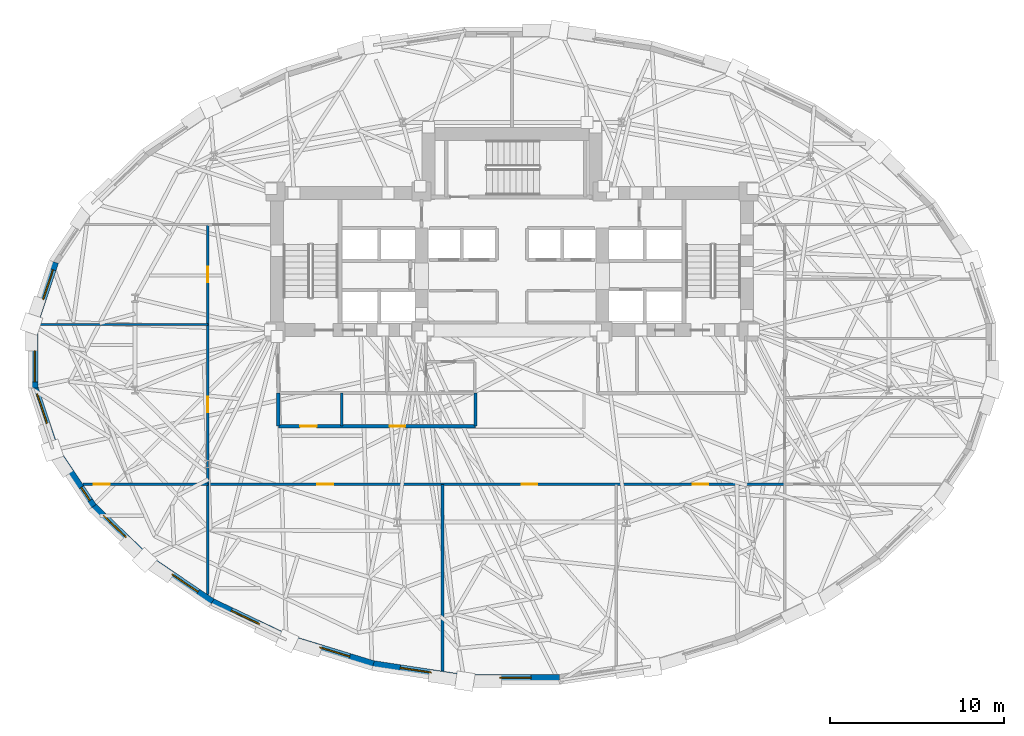
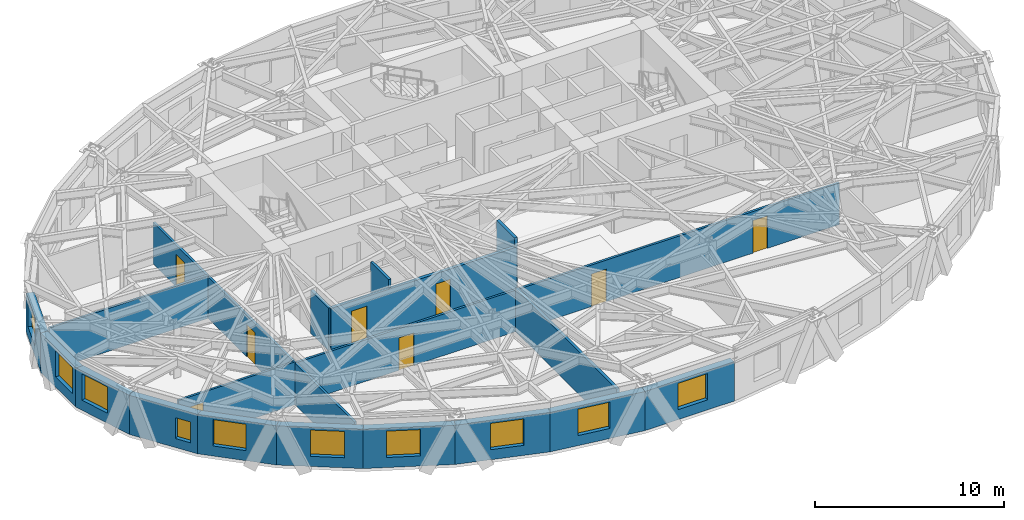
# One storey, part 6 of 14: 19 walls, 10 windows, 8 doors, 18 openings.
"""IFC4 building model written with IfcOpenShell, lengths in metres."""

from ifc_helpers import new_model, si_unit, direction, frame, frame_2d, origin, place, context, subcontext, project, spatial, rectangle, extrude, material, layer, layer_set, type_object, element, fill, save


model = new_model("IFC4")

# Units and contexts
model_context = context("Model", 3, precision=1e-05, world=origin(), true_north=direction((0.0, 1.0)))
body_context = subcontext(model_context, "Body", "Model", "MODEL_VIEW")
ifc_project = project(units=[si_unit("LENGTHUNIT", "METRE"), si_unit("AREAUNIT", "SQUARE_METRE"), si_unit("VOLUMEUNIT", "CUBIC_METRE"), si_unit("PLANEANGLEUNIT", "RADIAN"), si_unit("MASSUNIT", "GRAM", prefix="KILO")], contexts=[model_context])

# Site, building, storey
site_placement = place(None, origin())
site = spatial("IfcSite", under=ifc_project, at=site_placement, CompositionType="ELEMENT")
building_placement = place(site_placement, origin())
building = spatial("IfcBuilding", under=site, at=building_placement, Name="Keldmark Tower", CompositionType="ELEMENT")
storey_placement = place(building_placement, frame((0.0, 0.0, 100.10009765625)))
storey = spatial("IfcBuildingStorey", under=building, at=storey_placement, Name="L26", CompositionType="ELEMENT", Elevation=100.10009765625)

# Wall, openings, doors
ifc_material_1 = material(Name="Acoustic Double-Layer Gypsum Corridor Partition", Category="gypsum")
ifc_layer_1 = layer(ifc_material_1, 0.139892578125)
ifc_layer_set_1 = layer_set([ifc_layer_1], Name="Acoustic Double-Layer Gypsum Corridor Partition")
wall_type_1 = type_object("IfcWallType", Name="Acoustic Corridor Partition 140 mm", PredefinedType="PARTITIONING", material=ifc_layer_set_1)
wall_1_placement = place(storey_placement, frame((-17.5, -7.39990234375, 0.0), z_axis=(0.0, 0.0, 1.0), x_axis=(1.0, 0.0, 0.0)))
wall_1 = element("IfcWall", 1, at=wall_1_placement, inside=storey, type_object=wall_type_1, Name="L26 Acoustic Corridor Partition 140 mm COR-S", PredefinedType="PARTITIONING", context=body_context, shape_type="SweptSolid", body=[
    extrude(rectangle(XDim=33.199951171875, YDim=0.139892578125, at=frame_2d((16.60009765625, 0.0))), origin(), (0.0, 0.0, 1.0), 2.68798828125),
])
opening_1_placement = place(wall_1_placement, frame((6.300048828125, 0.0, 0.0)))
opening_1 = element("IfcOpeningElement", 2, at=opening_1_placement, cuts=wall_1, Name="Opening D-IN090", PredefinedType="OPENING", context=body_context, shape_type="SweptSolid", body=[
    extrude(rectangle(XDim=0.89990234375, YDim=2.10009765625, at=frame_2d((0.449951171875, 1.050048828125))), frame((0.0, 0.079833984375, 0.0), z_axis=(0.0, -1.0, 0.0), x_axis=(1.0, 0.0, 0.0)), (0.0, 0.0, 1.0), 0.159912109375),
])
opening_2_placement = place(wall_1_placement, frame((18.050048828125, 0.0, 0.0)))
opening_2 = element("IfcOpeningElement", 3, at=opening_2_placement, cuts=wall_1, Name="Opening D-IN090", PredefinedType="OPENING", context=body_context, shape_type="SweptSolid", body=[
    extrude(rectangle(XDim=0.89990234375, YDim=2.10009765625, at=frame_2d((0.449951171875, 1.050048828125))), frame((0.0, 0.079833984375, 0.0), z_axis=(0.0, -1.0, 0.0), x_axis=(1.0, 0.0, 0.0)), (0.0, 0.0, 1.0), 0.159912109375),
])
opening_3_placement = place(wall_1_placement, frame((27.89990234375, 0.0, 0.0)))
opening_3 = element("IfcOpeningElement", 4, at=opening_3_placement, cuts=wall_1, Name="Opening D-IN090", PredefinedType="OPENING", context=body_context, shape_type="SweptSolid", body=[
    extrude(rectangle(XDim=0.89990234375, YDim=2.10009765625, at=frame_2d((0.449951171875, 1.050048828125))), frame((0.0, 0.079833984375, 0.0), z_axis=(0.0, -1.0, 0.0), x_axis=(1.0, 0.0, 0.0)), (0.0, 0.0, 1.0), 0.159912109375),
])
ifc_material_2 = material(Name="Stained American White Oak Veneer", Category="wood")
door_type_1 = type_object("IfcDoorType", Name="Interior Door 900x2100", OperationType="NOTDEFINED", PredefinedType="DOOR", material=ifc_material_2)
door_1_placement = place(opening_1_placement, origin())
door_1 = element("IfcDoor", 5, at=door_1_placement, inside=storey, type_object=door_type_1, Name="L26 Interior Door 900x2100 D-SR-1-L26", OperationType="SINGLE_SWING_LEFT", OverallHeight=2.10009765625, OverallWidth=0.89990234375, PredefinedType="DOOR", context=body_context, shape_type="SweptSolid", body=[
    extrude(rectangle(XDim=0.89990234375, YDim=2.10009765625, at=frame_2d((0.449951171875, 1.050048828125))), frame((0.0, 0.02490234375, 0.0), z_axis=(0.0, -1.0, 0.0), x_axis=(1.0, 0.0, 0.0)), (0.0, 0.0, 1.0), 0.050048828125),
])
fill(opening_1, door_1)
door_2_placement = place(opening_2_placement, origin())
door_2 = element("IfcDoor", 6, at=door_2_placement, inside=storey, type_object=door_type_1, Name="L26 Interior Door 900x2100 D-SR-2-L26", OperationType="SINGLE_SWING_RIGHT", OverallHeight=2.10009765625, OverallWidth=0.89990234375, PredefinedType="DOOR", context=body_context, shape_type="SweptSolid", body=[
    extrude(rectangle(XDim=0.89990234375, YDim=2.10009765625, at=frame_2d((0.449951171875, 1.050048828125))), frame((0.0, 0.02490234375, 0.0), z_axis=(0.0, -1.0, 0.0), x_axis=(1.0, 0.0, 0.0)), (0.0, 0.0, 1.0), 0.050048828125),
])
fill(opening_2, door_2)
door_3_placement = place(opening_3_placement, origin())
door_3 = element("IfcDoor", 7, at=door_3_placement, inside=storey, type_object=door_type_1, Name="L26 Interior Door 900x2100 D-SR-3-L26", OperationType="SINGLE_SWING_LEFT", OverallHeight=2.10009765625, OverallWidth=0.89990234375, PredefinedType="DOOR", context=body_context, shape_type="SweptSolid", body=[
    extrude(rectangle(XDim=0.89990234375, YDim=2.10009765625, at=frame_2d((0.449951171875, 1.050048828125))), frame((0.0, 0.02490234375, 0.0), z_axis=(0.0, -1.0, 0.0), x_axis=(1.0, 0.0, 0.0)), (0.0, 0.0, 1.0), 0.050048828125),
])
fill(opening_3, door_3)

wall_2_placement = place(storey_placement, frame((-17.5, -13.748291015625, 0.0), z_axis=(0.0, 0.0, 1.0), x_axis=(0.0, 1.0, 0.0)))
wall_2 = element("IfcWall", 8, at=wall_2_placement, inside=storey, type_object=wall_type_1, Name="L26 Acoustic Corridor Partition 140 mm COR-W", PredefinedType="PARTITIONING", context=body_context, shape_type="SweptSolid", body=[
    extrude(rectangle(XDim=21.29833984375, YDim=0.139892578125, at=frame_2d((10.649169921875, 0.0))), origin(), (0.0, 0.0, 1.0), 2.68798828125),
])
opening_4_placement = place(wall_2_placement, frame((10.49853515625, 0.0, 0.0)))
opening_4 = element("IfcOpeningElement", 9, at=opening_4_placement, cuts=wall_2, Name="Opening D-IN090", PredefinedType="OPENING", context=body_context, shape_type="SweptSolid", body=[
    extrude(rectangle(XDim=0.89990234375, YDim=2.10009765625, at=frame_2d((0.449951171875, 1.050048828125))), frame((0.0, 0.079833984375, 0.0), z_axis=(0.0, -1.0, 0.0), x_axis=(1.0, 0.0, 0.0)), (0.0, 0.0, 1.0), 0.159912109375),
])
opening_5_placement = place(wall_2_placement, frame((17.9736328125, 0.0, 0.0)))
opening_5 = element("IfcOpeningElement", 10, at=opening_5_placement, cuts=wall_2, Name="Opening D-IN090", PredefinedType="OPENING", context=body_context, shape_type="SweptSolid", body=[
    extrude(rectangle(XDim=0.89990234375, YDim=2.10009765625, at=frame_2d((0.449951171875, 1.050048828125))), frame((0.0, 0.079833984375, 0.0), z_axis=(0.0, -1.0, 0.0), x_axis=(1.0, 0.0, 0.0)), (0.0, 0.0, 1.0), 0.159912109375),
])
door_4_placement = place(opening_4_placement, origin())
door_4 = element("IfcDoor", 11, at=door_4_placement, inside=storey, type_object=door_type_1, Name="L26 Interior Door 900x2100 D-WR-1-L26", OperationType="SINGLE_SWING_RIGHT", OverallHeight=2.10009765625, OverallWidth=0.89990234375, PredefinedType="DOOR", context=body_context, shape_type="SweptSolid", body=[
    extrude(rectangle(XDim=0.89990234375, YDim=2.10009765625, at=frame_2d((0.449951171875, 1.050048828125))), frame((0.0, 0.02490234375, 0.0), z_axis=(0.0, -1.0, 0.0), x_axis=(1.0, 0.0, 0.0)), (0.0, 0.0, 1.0), 0.050048828125),
])
fill(opening_4, door_4)
door_5_placement = place(opening_5_placement, origin())
door_5 = element("IfcDoor", 12, at=door_5_placement, inside=storey, type_object=door_type_1, Name="L26 Interior Door 900x2100 D-WR-2-L26", OperationType="SINGLE_SWING_RIGHT", OverallHeight=2.10009765625, OverallWidth=0.89990234375, PredefinedType="DOOR", context=body_context, shape_type="SweptSolid", body=[
    extrude(rectangle(XDim=0.89990234375, YDim=2.10009765625, at=frame_2d((0.449951171875, 1.050048828125))), frame((0.0, 0.02490234375, 0.0), z_axis=(0.0, -1.0, 0.0), x_axis=(1.0, 0.0, 0.0)), (0.0, 0.0, 1.0), 0.050048828125),
])
fill(opening_5, door_5)

# Wall
ifc_material_3 = material(Name="STC-58 Insulated Tenant Demising Gypsum Partition", Category="gypsum")
ifc_layer_2 = layer(ifc_material_3, 0.175048828125)
ifc_layer_set_2 = layer_set([ifc_layer_2], Name="STC-58 Insulated Tenant Demising Gypsum Partition")
wall_type_2 = type_object("IfcWallType", Name="Demising Suite Partition 175 mm", PredefinedType="PARTITIONING", material=ifc_layer_set_2)
wall_3_placement = place(storey_placement, frame((-4.0, -18.14208984375, 0.0), z_axis=(0.0, 0.0, 1.0), x_axis=(0.0, 1.0, 0.0)))
element("IfcWall", 13, at=wall_3_placement, inside=storey, type_object=wall_type_2, Name="L26 Demising Suite Partition 175 mm S-DIV-1", PredefinedType="PARTITIONING", context=body_context, shape_type="SweptSolid", body=[
    extrude(rectangle(XDim=10.7421875, YDim=0.175048828125, at=frame_2d((5.37109375, 0.0))), origin(), (0.0, 0.0, 1.0), 2.762939453125),
])

# Wall, openings, doors
ifc_material_4 = material(Name="Heavy Acoustic Plumbing Chase Gypsum Assembly", Category="gypsum")
ifc_layer_3 = layer(ifc_material_4, 0.18994140625)
ifc_layer_set_3 = layer_set([ifc_layer_3], Name="Heavy Acoustic Plumbing Chase Gypsum Assembly")
wall_type_3 = type_object("IfcWallType", Name="Heavy Wet Wall 190 mm", PredefinedType="PLUMBINGWALL", material=ifc_layer_set_3)
wall_4_placement = place(storey_placement, frame((-13.449951171875, -4.050048828125, 0.0), z_axis=(0.0, 0.0, 1.0), x_axis=(1.0, 0.0, 0.0)))
wall_4 = element("IfcWall", 14, at=wall_4_placement, inside=storey, type_object=wall_type_3, Name="L26 Heavy Wet Wall 190 mm SPK-W-S", PredefinedType="PLUMBINGWALL", context=body_context, shape_type="SweptSolid", body=[
    extrude(rectangle(XDim=11.349853515625, YDim=0.18994140625, at=frame_2d((5.6748046875, 0.0))), origin(), (0.0, 0.0, 1.0), 2.762939453125),
])
opening_6_placement = place(wall_4_placement, frame((1.25, 0.0, 0.0)))
opening_6 = element("IfcOpeningElement", 15, at=opening_6_placement, cuts=wall_4, Name="Opening D-AWC95", PredefinedType="OPENING", context=body_context, shape_type="SweptSolid", body=[
    extrude(rectangle(XDim=0.949951171875, YDim=2.14990234375, at=frame_2d((0.47509765625, 1.074951171875))), frame((0.0, 0.10498046875, 0.0), z_axis=(0.0, -1.0, 0.0), x_axis=(1.0, 0.0, 0.0)), (0.0, 0.0, 1.0), 0.2099609375),
])
opening_7_placement = place(wall_4_placement, frame((6.39990234375, 0.0, 0.0)))
opening_7 = element("IfcOpeningElement", 16, at=opening_7_placement, cuts=wall_4, Name="Opening D-IN090", PredefinedType="OPENING", context=body_context, shape_type="SweptSolid", body=[
    extrude(rectangle(XDim=0.89990234375, YDim=2.10009765625, at=frame_2d((0.449951171875, 1.050048828125))), frame((0.0, 0.10498046875, 0.0), z_axis=(0.0, -1.0, 0.0), x_axis=(1.0, 0.0, 0.0)), (0.0, 0.0, 1.0), 0.2099609375),
])
ifc_material_5 = material(Name="Painted Solid-Core Architectural Wood", Category="wood")
door_type_2 = type_object("IfcDoorType", Name="Accessible WC Door 950x2150", OperationType="NOTDEFINED", PredefinedType="DOOR", material=ifc_material_5)
door_6_placement = place(opening_6_placement, origin())
door_6 = element("IfcDoor", 17, at=door_6_placement, inside=storey, type_object=door_type_2, Name="L26 Accessible WC Door 950x2150 D-SPKW1-L26", OperationType="SINGLE_SWING_RIGHT", OverallHeight=2.14990234375, OverallWidth=0.949951171875, PredefinedType="DOOR", context=body_context, shape_type="SweptSolid", body=[
    extrude(rectangle(XDim=0.949951171875, YDim=2.14990234375, at=frame_2d((0.47509765625, 1.074951171875))), frame((0.0, 0.02490234375, 0.0), z_axis=(0.0, -1.0, 0.0), x_axis=(1.0, 0.0, 0.0)), (0.0, 0.0, 1.0), 0.050048828125),
])
fill(opening_6, door_6)
door_7_placement = place(opening_7_placement, origin())
door_7 = element("IfcDoor", 18, at=door_7_placement, inside=storey, type_object=door_type_1, Name="L26 Interior Door 900x2100 D-SPKW2-L26", OperationType="SINGLE_SWING_RIGHT", OverallHeight=2.10009765625, OverallWidth=0.89990234375, PredefinedType="DOOR", context=body_context, shape_type="SweptSolid", body=[
    extrude(rectangle(XDim=0.89990234375, YDim=2.10009765625, at=frame_2d((0.449951171875, 1.050048828125))), frame((0.0, 0.02490234375, 0.0), z_axis=(0.0, -1.0, 0.0), x_axis=(1.0, 0.0, 0.0)), (0.0, 0.0, 1.0), 0.050048828125),
])
fill(opening_7, door_7)

# Walls
wall_5_placement = place(storey_placement, frame((-13.449951171875, -4.050048828125, 0.0), z_axis=(0.0, 0.0, 1.0), x_axis=(0.0, 1.0, 0.0)))
element("IfcWall", 19, at=wall_5_placement, inside=storey, type_object=wall_type_3, Name="L26 Heavy Wet Wall 190 mm SPK-W-W", PredefinedType="PLUMBINGWALL", context=body_context, shape_type="SweptSolid", body=[
    extrude(rectangle(XDim=1.900146484375, YDim=0.18994140625, at=frame_2d((0.9501953125, 0.0))), origin(), (0.0, 0.0, 1.0), 2.762939453125),
])
wall_6_placement = place(storey_placement, frame((-2.10009765625, -4.050048828125, 0.0), z_axis=(0.0, 0.0, 1.0), x_axis=(0.0, 1.0, 0.0)))
element("IfcWall", 20, at=wall_6_placement, inside=storey, type_object=wall_type_3, Name="L26 Heavy Wet Wall 190 mm SPK-W-E", PredefinedType="PLUMBINGWALL", context=body_context, shape_type="SweptSolid", body=[
    extrude(rectangle(XDim=1.900146484375, YDim=0.18994140625, at=frame_2d((0.9501953125, 0.0))), origin(), (0.0, 0.0, 1.0), 3.309814453125),
])

# Wall, opening, door
ifc_material_6 = material(Name="Acoustic Gypsum Board Interior Partition", Category="gypsum")
ifc_layer_4 = layer(ifc_material_6, 0.1298828125)
ifc_layer_set_4 = layer_set([ifc_layer_4], Name="Acoustic Gypsum Board Interior Partition")
wall_type_4 = type_object("IfcWallType", Name="Interior Partition 130 mm", PredefinedType="PARTITIONING", material=ifc_layer_set_4)
wall_7_placement = place(storey_placement, frame((-24.688720703125, -7.39990234375, 0.0), z_axis=(0.0, 0.0, 1.0), x_axis=(1.0, 0.0, 0.0)))
wall_7 = element("IfcWall", 21, at=wall_7_placement, inside=storey, type_object=wall_type_4, Name="L26 Interior Partition 130 mm W-CAP-S", PredefinedType="PARTITIONING", context=body_context, shape_type="SweptSolid", body=[
    extrude(rectangle(XDim=7.188720703125, YDim=0.1298828125, at=frame_2d((3.59423828125, 0.0))), origin(), (0.0, 0.0, 1.0), 2.762939453125),
])
opening_8_placement = place(wall_7_placement, frame((0.6298828125, 0.0, 0.0)))
opening_8 = element("IfcOpeningElement", 22, at=opening_8_placement, cuts=wall_7, Name="Opening D-IN090", PredefinedType="OPENING", context=body_context, shape_type="SweptSolid", body=[
    extrude(rectangle(XDim=0.89990234375, YDim=2.10009765625, at=frame_2d((0.449951171875, 1.050048828125))), frame((0.0, 0.074951171875, 0.0), z_axis=(0.0, -1.0, 0.0), x_axis=(1.0, 0.0, 0.0)), (0.0, 0.0, 1.0), 0.14990234375),
])
door_8_placement = place(opening_8_placement, origin())
door_8 = element("IfcDoor", 23, at=door_8_placement, inside=storey, type_object=door_type_1, Name="L26 Interior Door 900x2100 D-WRSW-L26", OperationType="SINGLE_SWING_LEFT", OverallHeight=2.10009765625, OverallWidth=0.89990234375, PredefinedType="DOOR", context=body_context, shape_type="SweptSolid", body=[
    extrude(rectangle(XDim=0.89990234375, YDim=2.10009765625, at=frame_2d((0.449951171875, 1.050048828125))), frame((0.0, 0.02490234375, 0.0), z_axis=(0.0, -1.0, 0.0), x_axis=(1.0, 0.0, 0.0)), (0.0, 0.0, 1.0), 0.050048828125),
])
fill(opening_8, door_8)

# Wall
wall_8_placement = place(storey_placement, frame((-27.260498046875, 1.800048828125, 0.0), z_axis=(0.0, 0.0, 1.0), x_axis=(1.0, 0.0, 0.0)))
element("IfcWall", 24, at=wall_8_placement, inside=storey, type_object=wall_type_4, Name="L26 Interior Partition 130 mm W-DIV-1", PredefinedType="PARTITIONING", context=body_context, shape_type="SweptSolid", body=[
    extrude(rectangle(XDim=9.760498046875, YDim=0.1298828125, at=frame_2d((4.88037109375, 0.0))), origin(), (0.0, 0.0, 1.0), 2.762939453125),
])

# Wall, opening, window
ifc_material_7 = material(Name="Ironspot Manganese Brick and Kasota Buff Limestone Spandrel Assembly", Category="masonry")
ifc_layer_5 = layer(ifc_material_7, 0.43994140625)
ifc_layer_set_5 = layer_set([ifc_layer_5], Name="Ironspot Manganese Brick and Kasota Buff Limestone Spandrel Assembly")
wall_type_5 = type_object("IfcWallType", Name="Tower Brick Pier and Spandrel Wall 440 mm", PredefinedType="STANDARD", material=ifc_layer_set_5)
wall_9_placement = place(storey_placement, frame((-27.5068359375, 1.781494140625, 0.0), z_axis=(0.0, 0.0, 1.0), x_axis=(0.314316911692, 0.94931811266, 0.0)))
wall_9 = element("IfcWall", 25, at=wall_9_placement, inside=storey, type_object=wall_type_5, Name="L26 Exterior Brick and Spandrel Wall 15", PredefinedType="STANDARD", context=body_context, shape_type="SweptSolid", body=[
    extrude(rectangle(XDim=3.7958984375, YDim=0.43994140625, at=frame_2d((1.89794921875, 0.0))), origin(), (0.0, 0.0, 1.0), 2.52783203125),
])
opening_9_placement = place(wall_9_placement, frame((1.546630859375, 0.0, 0.64990234375)))
opening_9 = element("IfcOpeningElement", 26, at=opening_9_placement, cuts=wall_9, Name="Opening W-02", PredefinedType="OPENING", context=body_context, shape_type="SweptSolid", body=[
    extrude(rectangle(XDim=1.800048828125, YDim=1.699951171875, at=frame_2d((0.89990234375, 0.85009765625))), frame((0.0, 0.22998046875, 0.0), z_axis=(0.0, -1.0, 0.0), x_axis=(1.0, 0.0, 0.0)), (0.0, 0.0, 1.0), 0.4599609375),
])
ifc_material_8 = material(Name="Thermally Broken Anodized Aluminum and Triple Low-E Argon Glazing", Category="aluminium")
window_type_1 = type_object("IfcWindowType", Name="Office Deep-Set Triple Window 1800x1700", PartitioningType="TRIPLE_PANEL_VERTICAL", PredefinedType="WINDOW", material=ifc_material_8)
window_1_placement = place(opening_9_placement, origin())
window_1 = element("IfcWindow", 27, at=window_1_placement, inside=storey, type_object=window_type_1, Name="L26 Deep-Set Window 15", OverallHeight=1.699951171875, OverallWidth=1.800048828125, PartitioningType="SINGLE_PANEL", PredefinedType="WINDOW", context=body_context, shape_type="SweptSolid", body=[
    extrude(rectangle(XDim=1.800048828125, YDim=1.699951171875, at=frame_2d((0.89990234375, 0.85009765625))), frame((0.0, -0.010009765625, 0.0), z_axis=(0.0, -1.0, 0.0), x_axis=(1.0, 0.0, 0.0)), (0.0, 0.0, 1.0), 0.06005859375),
])
fill(opening_9, window_1)

wall_10_placement = place(storey_placement, frame((-27.49560546875, -1.8505859375, 0.0), z_axis=(0.0, 0.0, 1.0), x_axis=(0.0, 1.0, 0.0)))
wall_10 = element("IfcWall", 28, at=wall_10_placement, inside=storey, type_object=wall_type_5, Name="L26 Exterior Brick and Spandrel Wall 16", PredefinedType="STANDARD", context=body_context, shape_type="SweptSolid", body=[
    extrude(rectangle(XDim=3.701171875, YDim=0.43994140625, at=frame_2d((1.8505859375, 0.0))), origin(), (0.0, 0.0, 1.0), 2.52783203125),
])
opening_10_placement = place(wall_10_placement, frame((0.34521484375, 0.0, 0.64990234375)))
opening_10 = element("IfcOpeningElement", 29, at=opening_10_placement, cuts=wall_10, Name="Opening W-02", PredefinedType="OPENING", context=body_context, shape_type="SweptSolid", body=[
    extrude(rectangle(XDim=1.800048828125, YDim=1.699951171875, at=frame_2d((0.89990234375, 0.85009765625))), frame((0.0, 0.22998046875, 0.0), z_axis=(0.0, -1.0, 0.0), x_axis=(1.0, 0.0, 0.0)), (0.0, 0.0, 1.0), 0.4599609375),
])
window_2_placement = place(opening_10_placement, origin())
window_2 = element("IfcWindow", 30, at=window_2_placement, inside=storey, type_object=window_type_1, Name="L26 Deep-Set Window 16", OverallHeight=1.699951171875, OverallWidth=1.800048828125, PartitioningType="SINGLE_PANEL", PredefinedType="WINDOW", context=body_context, shape_type="SweptSolid", body=[
    extrude(rectangle(XDim=1.800048828125, YDim=1.699951171875, at=frame_2d((0.89990234375, 0.85009765625))), frame((0.0, -0.010009765625, 0.0), z_axis=(0.0, -1.0, 0.0), x_axis=(1.0, 0.0, 0.0)), (0.0, 0.0, 1.0), 0.06005859375),
])
fill(opening_10, window_2)

wall_11_placement = place(storey_placement, frame((-26.313720703125, -5.385009765625, 0.0), z_axis=(0.0, 0.0, 1.0), x_axis=(-0.314316911692, 0.94931811266, 0.0)))
wall_11 = element("IfcWall", 31, at=wall_11_placement, inside=storey, type_object=wall_type_5, Name="L26 Exterior Brick and Spandrel Wall 17", PredefinedType="STANDARD", context=body_context, shape_type="SweptSolid", body=[
    extrude(rectangle(XDim=3.7958984375, YDim=0.43994140625, at=frame_2d((1.89794921875, 0.0))), origin(), (0.0, 0.0, 1.0), 2.52783203125),
])
opening_11_placement = place(wall_11_placement, frame((1.546630859375, 0.0, 0.64990234375)))
opening_11 = element("IfcOpeningElement", 32, at=opening_11_placement, cuts=wall_11, Name="Opening W-02", PredefinedType="OPENING", context=body_context, shape_type="SweptSolid", body=[
    extrude(rectangle(XDim=1.800048828125, YDim=1.699951171875, at=frame_2d((0.89990234375, 0.85009765625))), frame((0.0, 0.22998046875, 0.0), z_axis=(0.0, -1.0, 0.0), x_axis=(1.0, 0.0, 0.0)), (0.0, 0.0, 1.0), 0.4599609375),
])
window_3_placement = place(opening_11_placement, origin())
window_3 = element("IfcWindow", 33, at=window_3_placement, inside=storey, type_object=window_type_1, Name="L26 Deep-Set Window 17", OverallHeight=1.699951171875, OverallWidth=1.800048828125, PartitioningType="SINGLE_PANEL", PredefinedType="WINDOW", context=body_context, shape_type="SweptSolid", body=[
    extrude(rectangle(XDim=1.800048828125, YDim=1.699951171875, at=frame_2d((0.89990234375, 0.85009765625))), frame((0.0, -0.010009765625, 0.0), z_axis=(0.0, -1.0, 0.0), x_axis=(1.0, 0.0, 0.0)), (0.0, 0.0, 1.0), 0.06005859375),
])
fill(opening_11, window_3)

wall_12_placement = place(storey_placement, frame((-24.10986328125, -8.680419921875, 0.0), z_axis=(0.0, 0.0, 1.0), x_axis=(-0.554293965046, 0.83232097193, 0.0)))
wall_12 = element("IfcWall", 34, at=wall_12_placement, inside=storey, type_object=wall_type_5, Name="L26 Exterior Brick and Spandrel Wall 18", PredefinedType="STANDARD", context=body_context, shape_type="SweptSolid", body=[
    extrude(rectangle(XDim=4.022705078125, YDim=0.43994140625, at=frame_2d((2.01123046875, 0.0))), origin(), (0.0, 0.0, 1.0), 2.52783203125),
])
opening_12_placement = place(wall_12_placement, frame((0.39794921875, 0.0, 0.580078125)))
opening_12 = element("IfcOpeningElement", 35, at=opening_12_placement, cuts=wall_12, Name="Opening W-09", PredefinedType="OPENING", context=body_context, shape_type="SweptSolid", body=[
    extrude(rectangle(XDim=0.89990234375, YDim=1.35009765625, at=frame_2d((0.449951171875, 0.675048828125))), frame((0.0, 0.22998046875, 0.0), z_axis=(0.0, -1.0, 0.0), x_axis=(1.0, 0.0, 0.0)), (0.0, 0.0, 1.0), 0.4599609375),
])
ifc_material_9 = material(Name="Thermally Broken Anodized Aluminum and Triple Low-E Argon Glazing", Category="aluminium")
window_type_2 = type_object("IfcWindowType", Name="Corner Pier Deep-Set Window 900x1350", PartitioningType="SINGLE_PANEL", PredefinedType="WINDOW", material=ifc_material_9)
window_4_placement = place(opening_12_placement, origin())
window_4 = element("IfcWindow", 36, at=window_4_placement, inside=storey, type_object=window_type_2, Name="L26 Deep-Set Window 18", OverallHeight=1.35009765625, OverallWidth=0.89990234375, PartitioningType="SINGLE_PANEL", PredefinedType="WINDOW", context=body_context, shape_type="SweptSolid", body=[
    extrude(rectangle(XDim=0.89990234375, YDim=1.35009765625, at=frame_2d((0.449951171875, 0.675048828125))), frame((0.0, -0.010009765625, 0.0), z_axis=(0.0, -1.0, 0.0), x_axis=(1.0, 0.0, 0.0)), (0.0, 0.0, 1.0), 0.06005859375),
])
fill(opening_12, window_4)

wall_13_placement = place(storey_placement, frame((-21.037109375, -11.6298828125, 0.0), z_axis=(0.0, 0.0, 1.0), x_axis=(-0.720581378362, 0.693370375166, 0.0)))
wall_13 = element("IfcWall", 37, at=wall_13_placement, inside=storey, type_object=wall_type_5, Name="L26 Exterior Brick and Spandrel Wall 19", PredefinedType="STANDARD", context=body_context, shape_type="SweptSolid", body=[
    extrude(rectangle(XDim=4.306640625, YDim=0.43994140625, at=frame_2d((2.1533203125, 0.0))), origin(), (0.0, 0.0, 1.0), 2.52783203125),
])
opening_13_placement = place(wall_13_placement, frame((1.669921875, 0.0, 0.64990234375)))
opening_13 = element("IfcOpeningElement", 38, at=opening_13_placement, cuts=wall_13, Name="Opening W-02", PredefinedType="OPENING", context=body_context, shape_type="SweptSolid", body=[
    extrude(rectangle(XDim=1.800048828125, YDim=1.699951171875, at=frame_2d((0.89990234375, 0.85009765625))), frame((0.0, 0.22998046875, 0.0), z_axis=(0.0, -1.0, 0.0), x_axis=(1.0, 0.0, 0.0)), (0.0, 0.0, 1.0), 0.4599609375),
])
window_5_placement = place(opening_13_placement, origin())
window_5 = element("IfcWindow", 39, at=window_5_placement, inside=storey, type_object=window_type_1, Name="L26 Deep-Set Window 19", OverallHeight=1.699951171875, OverallWidth=1.800048828125, PartitioningType="SINGLE_PANEL", PredefinedType="WINDOW", context=body_context, shape_type="SweptSolid", body=[
    extrude(rectangle(XDim=1.800048828125, YDim=1.699951171875, at=frame_2d((0.89990234375, 0.85009765625))), frame((0.0, -0.010009765625, 0.0), z_axis=(0.0, -1.0, 0.0), x_axis=(1.0, 0.0, 0.0)), (0.0, 0.0, 1.0), 0.06005859375),
])
fill(opening_13, window_5)

wall_14_placement = place(storey_placement, frame((-17.266357421875, -14.18212890625, 0.0), z_axis=(0.0, 0.0, 1.0), x_axis=(-0.827754551165, 0.56109036975, 0.0)))
wall_14 = element("IfcWall", 40, at=wall_14_placement, inside=storey, type_object=wall_type_5, Name="L26 Exterior Brick and Spandrel Wall 20", PredefinedType="STANDARD", context=body_context, shape_type="SweptSolid", body=[
    extrude(rectangle(XDim=4.590576171875, YDim=0.43994140625, at=frame_2d((2.29541015625, 0.0))), origin(), (0.0, 0.0, 1.0), 2.52783203125),
])
opening_14_placement = place(wall_14_placement, frame((0.996826171875, 0.0, 0.64990234375)))
opening_14 = element("IfcOpeningElement", 41, at=opening_14_placement, cuts=wall_14, Name="Opening W-02", PredefinedType="OPENING", context=body_context, shape_type="SweptSolid", body=[
    extrude(rectangle(XDim=1.800048828125, YDim=1.699951171875, at=frame_2d((0.89990234375, 0.85009765625))), frame((0.0, 0.22998046875, 0.0), z_axis=(0.0, -1.0, 0.0), x_axis=(1.0, 0.0, 0.0)), (0.0, 0.0, 1.0), 0.4599609375),
])
window_6_placement = place(opening_14_placement, origin())
window_6 = element("IfcWindow", 42, at=window_6_placement, inside=storey, type_object=window_type_1, Name="L26 Deep-Set Window 20", OverallHeight=1.699951171875, OverallWidth=1.800048828125, PartitioningType="SINGLE_PANEL", PredefinedType="WINDOW", context=body_context, shape_type="SweptSolid", body=[
    extrude(rectangle(XDim=1.800048828125, YDim=1.699951171875, at=frame_2d((0.89990234375, 0.85009765625))), frame((0.0, -0.010009765625, 0.0), z_axis=(0.0, -1.0, 0.0), x_axis=(1.0, 0.0, 0.0)), (0.0, 0.0, 1.0), 0.06005859375),
])
fill(opening_14, window_6)

wall_15_placement = place(storey_placement, frame((-12.889892578125, -16.26953125, 0.0), z_axis=(0.0, 0.0, 1.0), x_axis=(-0.902372757907, 0.430956385018, 0.0)))
wall_15 = element("IfcWall", 43, at=wall_15_placement, inside=storey, type_object=wall_type_5, Name="L26 Exterior Brick and Spandrel Wall 21", PredefinedType="STANDARD", context=body_context, shape_type="SweptSolid", body=[
    extrude(rectangle(XDim=4.881591796875, YDim=0.43994140625, at=frame_2d((2.44091796875, 0.0))), origin(), (0.0, 0.0, 1.0), 2.52783203125),
])
opening_15_placement = place(wall_15_placement, frame((1.8388671875, 0.0, 0.64990234375)))
opening_15 = element("IfcOpeningElement", 44, at=opening_15_placement, cuts=wall_15, Name="Opening W-02", PredefinedType="OPENING", context=body_context, shape_type="SweptSolid", body=[
    extrude(rectangle(XDim=1.800048828125, YDim=1.699951171875, at=frame_2d((0.89990234375, 0.85009765625))), frame((0.0, 0.22998046875, 0.0), z_axis=(0.0, -1.0, 0.0), x_axis=(1.0, 0.0, 0.0)), (0.0, 0.0, 1.0), 0.4599609375),
])
window_7_placement = place(opening_15_placement, origin())
window_7 = element("IfcWindow", 45, at=window_7_placement, inside=storey, type_object=window_type_1, Name="L26 Deep-Set Window 21", OverallHeight=1.699951171875, OverallWidth=1.800048828125, PartitioningType="SINGLE_PANEL", PredefinedType="WINDOW", context=body_context, shape_type="SweptSolid", body=[
    extrude(rectangle(XDim=1.800048828125, YDim=1.699951171875, at=frame_2d((0.89990234375, 0.85009765625))), frame((0.0, -0.010009765625, 0.0), z_axis=(0.0, -1.0, 0.0), x_axis=(1.0, 0.0, 0.0)), (0.0, 0.0, 1.0), 0.06005859375),
])
fill(opening_15, window_7)

wall_16_placement = place(storey_placement, frame((-7.981201171875, -17.769287109375, 0.0), z_axis=(0.0, 0.0, 1.0), x_axis=(-0.956228569431, 0.292620783617, 0.0)))
wall_16 = element("IfcWall", 46, at=wall_16_placement, inside=storey, type_object=wall_type_5, Name="L26 Exterior Brick and Spandrel Wall 22", PredefinedType="STANDARD", context=body_context, shape_type="SweptSolid", body=[
    extrude(rectangle(XDim=5.165283203125, YDim=0.43994140625, at=frame_2d((2.58251953125, 0.0))), origin(), (0.0, 0.0, 1.0), 2.52783203125),
])
opening_16_placement = place(wall_16_placement, frame((1.435546875, 0.0, 0.64990234375)))
opening_16 = element("IfcOpeningElement", 47, at=opening_16_placement, cuts=wall_16, Name="Opening W-02", PredefinedType="OPENING", context=body_context, shape_type="SweptSolid", body=[
    extrude(rectangle(XDim=1.800048828125, YDim=1.699951171875, at=frame_2d((0.89990234375, 0.85009765625))), frame((0.0, 0.22998046875, 0.0), z_axis=(0.0, -1.0, 0.0), x_axis=(1.0, 0.0, 0.0)), (0.0, 0.0, 1.0), 0.4599609375),
])
window_8_placement = place(opening_16_placement, origin())
window_8 = element("IfcWindow", 48, at=window_8_placement, inside=storey, type_object=window_type_1, Name="L26 Deep-Set Window 22", OverallHeight=1.699951171875, OverallWidth=1.800048828125, PartitioningType="SINGLE_PANEL", PredefinedType="WINDOW", context=body_context, shape_type="SweptSolid", body=[
    extrude(rectangle(XDim=1.800048828125, YDim=1.699951171875, at=frame_2d((0.89990234375, 0.85009765625))), frame((0.0, -0.010009765625, 0.0), z_axis=(0.0, -1.0, 0.0), x_axis=(1.0, 0.0, 0.0)), (0.0, 0.0, 1.0), 0.06005859375),
])
fill(opening_16, window_8)

wall_17_placement = place(storey_placement, frame((-2.69677734375, -18.57080078125, 0.0), z_axis=(0.0, 0.0, 1.0), x_axis=(-0.988627497469, 0.150385076545, 0.0)))
wall_17 = element("IfcWall", 49, at=wall_17_placement, inside=storey, type_object=wall_type_5, Name="L26 Exterior Brick and Spandrel Wall 23", PredefinedType="STANDARD", context=body_context, shape_type="SweptSolid", body=[
    extrude(rectangle(XDim=5.376708984375, YDim=0.43994140625, at=frame_2d((2.6884765625, 0.0))), origin(), (0.0, 0.0, 1.0), 2.52783203125),
])
opening_17_placement = place(wall_17_placement, frame((1.987060546875, 0.0, 0.64990234375)))
opening_17 = element("IfcOpeningElement", 50, at=opening_17_placement, cuts=wall_17, Name="Opening W-02", PredefinedType="OPENING", context=body_context, shape_type="SweptSolid", body=[
    extrude(rectangle(XDim=1.800048828125, YDim=1.699951171875, at=frame_2d((0.89990234375, 0.85009765625))), frame((0.0, 0.22998046875, 0.0), z_axis=(0.0, -1.0, 0.0), x_axis=(1.0, 0.0, 0.0)), (0.0, 0.0, 1.0), 0.4599609375),
])
window_9_placement = place(opening_17_placement, origin())
window_9 = element("IfcWindow", 51, at=window_9_placement, inside=storey, type_object=window_type_1, Name="L26 Deep-Set Window 23", OverallHeight=1.699951171875, OverallWidth=1.800048828125, PartitioningType="SINGLE_PANEL", PredefinedType="WINDOW", context=body_context, shape_type="SweptSolid", body=[
    extrude(rectangle(XDim=1.800048828125, YDim=1.699951171875, at=frame_2d((0.89990234375, 0.85009765625))), frame((0.0, -0.010009765625, 0.0), z_axis=(0.0, -1.0, 0.0), x_axis=(1.0, 0.0, 0.0)), (0.0, 0.0, 1.0), 0.06005859375),
])
fill(opening_17, window_9)

wall_18_placement = place(storey_placement, frame((2.729736328125, -18.568359375, 0.0), z_axis=(0.0, 0.0, 1.0), x_axis=(-1.0, 0.0, 0.0)))
wall_18 = element("IfcWall", 52, at=wall_18_placement, inside=storey, type_object=wall_type_5, Name="L26 Exterior Brick and Spandrel Wall 24", PredefinedType="STANDARD", context=body_context, shape_type="SweptSolid", body=[
    extrude(rectangle(XDim=5.45947265625, YDim=0.43994140625, at=frame_2d((2.729736328125, 0.0))), origin(), (0.0, 0.0, 1.0), 2.52783203125),
])
opening_18_placement = place(wall_18_placement, frame((1.632080078125, 0.0, 0.64990234375)))
opening_18 = element("IfcOpeningElement", 53, at=opening_18_placement, cuts=wall_18, Name="Opening W-02", PredefinedType="OPENING", context=body_context, shape_type="SweptSolid", body=[
    extrude(rectangle(XDim=1.800048828125, YDim=1.699951171875, at=frame_2d((0.89990234375, 0.85009765625))), frame((0.0, 0.22998046875, 0.0), z_axis=(0.0, -1.0, 0.0), x_axis=(1.0, 0.0, 0.0)), (0.0, 0.0, 1.0), 0.4599609375),
])
window_10_placement = place(opening_18_placement, origin())
window_10 = element("IfcWindow", 54, at=window_10_placement, inside=storey, type_object=window_type_1, Name="L26 Deep-Set Window 24", OverallHeight=1.699951171875, OverallWidth=1.800048828125, PartitioningType="SINGLE_PANEL", PredefinedType="WINDOW", context=body_context, shape_type="SweptSolid", body=[
    extrude(rectangle(XDim=1.800048828125, YDim=1.699951171875, at=frame_2d((0.89990234375, 0.85009765625))), frame((0.0, -0.010009765625, 0.0), z_axis=(0.0, -1.0, 0.0), x_axis=(1.0, 0.0, 0.0)), (0.0, 0.0, 1.0), 0.06005859375),
])
fill(opening_18, window_10)

# Wall
ifc_material_10 = material(Name="Moisture-Resistant Gypsum Plumbing Partition", Category="gypsum")
ifc_layer_6 = layer(ifc_material_10, 0.14990234375)
ifc_layer_set_6 = layer_set([ifc_layer_6], Name="Moisture-Resistant Gypsum Plumbing Partition")
wall_type_6 = type_object("IfcWallType", Name="Wet Wall 150 mm", PredefinedType="PLUMBINGWALL", material=ifc_layer_set_6)
wall_19_placement = place(storey_placement, frame((-9.800048828125, -4.050048828125, 0.0), z_axis=(0.0, 0.0, 1.0), x_axis=(0.0, 1.0, 0.0)))
element("IfcWall", 55, at=wall_19_placement, inside=storey, type_object=wall_type_6, Name="L26 Wet Wall 150 mm SPK-W-D1", PredefinedType="PLUMBINGWALL", context=body_context, shape_type="SweptSolid", body=[
    extrude(rectangle(XDim=1.900146484375, YDim=0.14990234375, at=frame_2d((0.9501953125, 0.0))), origin(), (0.0, 0.0, 1.0), 3.309814453125),
])

save(model, "model.ifc")
